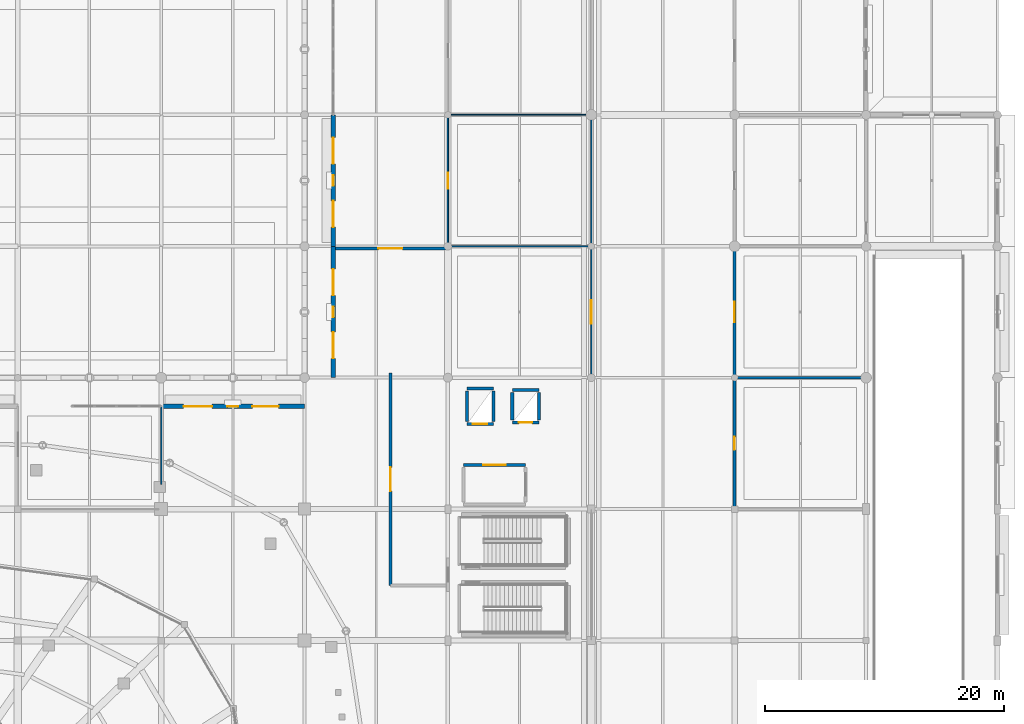
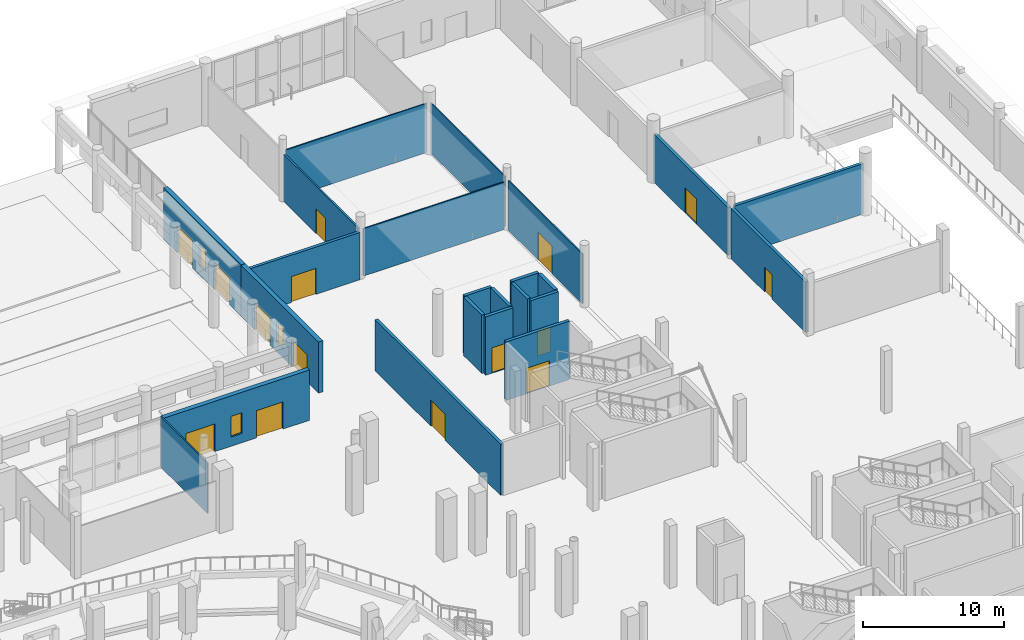
# One storey, part 67 of 120: 23 walls, 15 doors, 3 windows, 18 openings.
"""IFC4 building model written with IfcOpenShell, lengths in metres."""

from ifc_helpers import new_model, si_unit, direction, frame, frame_2d, origin, place, context, subcontext, project, spatial, rectangle, extrude, material, layer, layer_set, type_object, element, fill, save


model = new_model("IFC4")

# Units and contexts
model_context = context("Model", 3, precision=1e-05, world=origin(), true_north=direction((0.0, 1.0)))
body_context = subcontext(model_context, "Body", "Model", "MODEL_VIEW")
ifc_project = project(units=[si_unit("LENGTHUNIT", "METRE"), si_unit("AREAUNIT", "SQUARE_METRE"), si_unit("VOLUMEUNIT", "CUBIC_METRE"), si_unit("PLANEANGLEUNIT", "RADIAN"), si_unit("MASSUNIT", "GRAM", prefix="KILO")], contexts=[model_context])

# Site, building, storey
site_placement = place(None, origin())
site = spatial("IfcSite", under=ifc_project, at=site_placement, CompositionType="ELEMENT")
building_placement = place(site_placement, origin())
building = spatial("IfcBuilding", under=site, at=building_placement, Name="Luwafu Chhajja Arena", CompositionType="ELEMENT")
storey_placement = place(building_placement, origin())
storey = spatial("IfcBuildingStorey", under=building, at=storey_placement, Name="L00", CompositionType="ELEMENT", Elevation=0.0)

# Wall, opening, door
ifc_material_1 = material(Name="Concrete blockwork masonry", Category="masonry")
ifc_layer_1 = layer(ifc_material_1, 0.239990234375, Name="Concrete blockwork masonry")
ifc_layer_set_1 = layer_set([ifc_layer_1], Name="Concrete blockwork masonry")
wall_type_1 = type_object("IfcWallType", Name="Compartment Masonry Partition 240", PredefinedType="PARTITIONING", material=ifc_layer_set_1)
wall_1_placement = place(storey_placement, frame((176.0, 88.219970703125, 0.0), z_axis=(0.0, 0.0, 1.0), x_axis=(0.0, 1.0, 0.0)))
wall_1 = element("IfcWall", 1, at=wall_1_placement, inside=storey, type_object=wall_type_1, Name="L00 Internal Partition 0183", PredefinedType="PARTITIONING", context=body_context, shape_type="SweptSolid", body=[
    extrude(rectangle(XDim=10.56005859375, YDim=0.239990234375, at=frame_2d((5.280029296875, 0.0))), origin(), (0.0, 0.0, 1.0), 4.366455078125),
])
opening_1_placement = place(wall_1_placement, frame((4.739990234375, 0.0, 0.0)))
opening_1 = element("IfcOpeningElement", 2, at=opening_1_placement, cuts=wall_1, Name="Opening DR-10", PredefinedType="OPENING", context=body_context, shape_type="SweptSolid", body=[
    extrude(rectangle(XDim=1.080078125, YDim=2.14990234375, at=frame_2d((0.5400390625, 1.074951171875))), frame((0.0, 0.1298828125, 0.0), z_axis=(0.0, -1.0, 0.0), x_axis=(1.0, 0.0, 0.0)), (0.0, 0.0, 1.0), 0.260009765625),
])
ifc_material_2 = material(Name="Fire-rated hardwood leaf", Category="wood")
door_type_1 = type_object("IfcDoorType", Name="DR-10", OperationType="NOTDEFINED", PredefinedType="DOOR", material=ifc_material_2)
door_1_placement = place(opening_1_placement, origin())
door_1 = element("IfcDoor", 3, at=door_1_placement, inside=storey, type_object=door_type_1, Name="L00 Interior Door L00-D054", OperationType="SINGLE_SWING_RIGHT", OverallHeight=2.14990234375, OverallWidth=1.080078125, PredefinedType="DOOR", context=body_context, shape_type="SweptSolid", body=[
    extrude(rectangle(XDim=1.080078125, YDim=2.14990234375, at=frame_2d((0.5400390625, 1.074951171875))), frame((0.0, 0.02490234375, 0.0), z_axis=(0.0, -1.0, 0.0), x_axis=(1.0, 0.0, 0.0)), (0.0, 0.0, 1.0), 0.050048828125),
])
fill(opening_1, door_1)

wall_2_placement = place(storey_placement, frame((176.0, 99.219970703125, 0.0), z_axis=(0.0, 0.0, 1.0), x_axis=(0.0, 1.0, 0.0)))
wall_2 = element("IfcWall", 4, at=wall_2_placement, inside=storey, type_object=wall_type_1, Name="L00 Internal Partition 0184", PredefinedType="PARTITIONING", context=body_context, shape_type="SweptSolid", body=[
    extrude(rectangle(XDim=10.56005859375, YDim=0.239990234375, at=frame_2d((5.280029296875, 0.0))), origin(), (0.0, 0.0, 1.0), 4.14990234375),
])
opening_2_placement = place(wall_2_placement, frame((4.43994140625, 0.0, 0.0)))
opening_2 = element("IfcOpeningElement", 5, at=opening_2_placement, cuts=wall_2, Name="Opening DR-11", PredefinedType="OPENING", context=body_context, shape_type="SweptSolid", body=[
    extrude(rectangle(XDim=1.679931640625, YDim=2.199951171875, at=frame_2d((0.83984375, 1.10009765625))), frame((0.0, 0.1298828125, 0.0), z_axis=(0.0, -1.0, 0.0), x_axis=(1.0, 0.0, 0.0)), (0.0, 0.0, 1.0), 0.260009765625),
])
ifc_material_3 = material(Name="Powder-coated steel fire leaf", Category="steel")
door_type_2 = type_object("IfcDoorType", Name="DR-11", OperationType="DOUBLE_DOOR_SINGLE_SWING", PredefinedType="DOOR", material=ifc_material_3)
door_2_placement = place(opening_2_placement, origin())
door_2 = element("IfcDoor", 6, at=door_2_placement, inside=storey, type_object=door_type_2, Name="L00 Interior Door L00-D055", OperationType="DOUBLE_DOOR_SINGLE_SWING", OverallHeight=2.199951171875, OverallWidth=1.679931640625, PredefinedType="DOOR", context=body_context, shape_type="SweptSolid", body=[
    extrude(rectangle(XDim=1.679931640625, YDim=2.199951171875, at=frame_2d((0.83984375, 1.10009765625))), frame((0.0, 0.02490234375, 0.0), z_axis=(0.0, -1.0, 0.0), x_axis=(1.0, 0.0, 0.0)), (0.0, 0.0, 1.0), 0.050048828125),
])
fill(opening_2, door_2)

# Wall
wall_3_placement = place(storey_placement, frame((176.219970703125, 99.0, 0.0), z_axis=(0.0, 0.0, 1.0), x_axis=(1.0, 0.0, 0.0)))
element("IfcWall", 7, at=wall_3_placement, inside=storey, type_object=wall_type_1, Name="L00 Internal Partition 0211", PredefinedType="PARTITIONING", context=body_context, shape_type="SweptSolid", body=[
    extrude(rectangle(XDim=10.56005859375, YDim=0.239990234375, at=frame_2d((5.280029296875, 0.0))), origin(), (0.0, 0.0, 1.0), 4.366455078125),
])

# Wall, opening, door
wall_4_placement = place(storey_placement, frame((147.199951171875, 81.60009765625, 0.0), z_axis=(0.0, 0.0, 1.0), x_axis=(0.0, 1.0, 0.0)))
wall_4 = element("IfcWall", 8, at=wall_4_placement, inside=storey, type_object=wall_type_1, Name="L00 Protected Exit Passageway EI 120 Wall WXP-C4-W", PredefinedType="PARTITIONING", context=body_context, shape_type="SweptSolid", body=[
    extrude(rectangle(XDim=17.7998046875, YDim=0.239990234375, at=frame_2d((8.89990234375, 0.0))), origin(), (0.0, 0.0, 1.0), 4.4296875),
])
opening_3_placement = place(wall_4_placement, frame((7.89990234375, 0.0, 0.0)))
opening_3 = element("IfcOpeningElement", 9, at=opening_3_placement, cuts=wall_4, Name="Opening DR-08", PredefinedType="OPENING", context=body_context, shape_type="SweptSolid", body=[
    extrude(rectangle(XDim=2.0, YDim=2.25, at=frame_2d((1.0, 1.125))), frame((0.0, 0.1298828125, 0.0), z_axis=(0.0, -1.0, 0.0), x_axis=(1.0, 0.0, 0.0)), (0.0, 0.0, 1.0), 0.260009765625),
])
ifc_material_4 = material(Name="Fire-rated hardwood double leaf", Category="wood")
door_type_3 = type_object("IfcDoorType", Name="DR-08", OperationType="DOUBLE_DOOR_SINGLE_SWING", PredefinedType="DOOR", material=ifc_material_4)
door_3_placement = place(opening_3_placement, origin())
door_3 = element("IfcDoor", 10, at=door_3_placement, inside=storey, type_object=door_type_3, Name="L00 Protected Exit Passageway Fire Door L00-D070", OperationType="DOUBLE_DOOR_SINGLE_SWING", OverallHeight=2.25, OverallWidth=2.0, PredefinedType="DOOR", context=body_context, shape_type="SweptSolid", body=[
    extrude(rectangle(XDim=2.0, YDim=2.25, at=frame_2d((1.0, 1.125))), frame((0.0, 0.02490234375, 0.0), z_axis=(0.0, -1.0, 0.0), x_axis=(1.0, 0.0, 0.0)), (0.0, 0.0, 1.0), 0.050048828125),
])
fill(opening_3, door_3)

wall_5_placement = place(storey_placement, frame((142.60009765625, 109.800048828125, 0.0), z_axis=(0.0, 0.0, 1.0), x_axis=(1.0, 0.0, 0.0)))
wall_5 = element("IfcWall", 11, at=wall_5_placement, inside=storey, type_object=wall_type_1, Name="L00 Protected Exit Passageway EI 120 Wall WXP-C4-N", PredefinedType="PARTITIONING", context=body_context, shape_type="SweptSolid", body=[
    extrude(rectangle(XDim=9.179931640625, YDim=0.239990234375, at=frame_2d((4.58984375, 0.0))), origin(), (0.0, 0.0, 1.0), 4.10009765625),
])
opening_4_placement = place(wall_5_placement, frame((3.590087890625, 0.0, 0.0)))
opening_4 = element("IfcOpeningElement", 12, at=opening_4_placement, cuts=wall_5, Name="Opening DR-08", PredefinedType="OPENING", context=body_context, shape_type="SweptSolid", body=[
    extrude(rectangle(XDim=2.0, YDim=2.25, at=frame_2d((1.0, 1.125))), frame((0.0, 0.1298828125, 0.0), z_axis=(0.0, -1.0, 0.0), x_axis=(1.0, 0.0, 0.0)), (0.0, 0.0, 1.0), 0.260009765625),
])
door_4_placement = place(opening_4_placement, origin())
door_4 = element("IfcDoor", 13, at=door_4_placement, inside=storey, type_object=door_type_3, Name="L00 Protected Exit Passageway Fire Door L00-D071", OperationType="DOUBLE_DOOR_SINGLE_SWING", OverallHeight=2.25, OverallWidth=2.0, PredefinedType="DOOR", context=body_context, shape_type="SweptSolid", body=[
    extrude(rectangle(XDim=2.0, YDim=2.25, at=frame_2d((1.0, 1.125))), frame((0.0, 0.02490234375, 0.0), z_axis=(0.0, -1.0, 0.0), x_axis=(1.0, 0.0, 0.0)), (0.0, 0.0, 1.0), 0.050048828125),
])
fill(opening_4, door_4)

ifc_material_5 = material(Name="Lightweight blockwork partition", Category="masonry")
ifc_layer_2 = layer(ifc_material_5, 0.139892578125, Name="Lightweight blockwork partition")
ifc_layer_set_2 = layer_set([ifc_layer_2], Name="Lightweight blockwork partition")
wall_type_2 = type_object("IfcWallType", Name="Concourse Kiosk Partition 140", PredefinedType="PARTITIONING", material=ifc_layer_set_2)
wall_6_placement = place(storey_placement, frame((152.0, 110.219970703125, 0.0), z_axis=(0.0, 0.0, 1.0), x_axis=(0.0, 1.0, 0.0)))
wall_6 = element("IfcWall", 14, at=wall_6_placement, inside=storey, type_object=wall_type_2, Name="L00 Internal Partition 0174", PredefinedType="PARTITIONING", context=body_context, shape_type="SweptSolid", body=[
    extrude(rectangle(XDim=10.56005859375, YDim=0.139892578125, at=frame_2d((5.280029296875, 0.0))), origin(), (0.0, 0.0, 1.0), 4.10009765625),
])
opening_5_placement = place(wall_6_placement, frame((4.610107421875, 0.0, 0.0)))
opening_5 = element("IfcOpeningElement", 15, at=opening_5_placement, cuts=wall_6, Name="Opening DR-26", PredefinedType="OPENING", context=body_context, shape_type="SweptSolid", body=[
    extrude(rectangle(XDim=1.340087890625, YDim=2.14990234375, at=frame_2d((0.669921875, 1.074951171875))), frame((0.0, 0.079833984375, 0.0), z_axis=(0.0, -1.0, 0.0), x_axis=(1.0, 0.0, 0.0)), (0.0, 0.0, 1.0), 0.159912109375),
])
ifc_material_6 = material(Name="Hardwood service leaf", Category="wood")
door_type_4 = type_object("IfcDoorType", Name="DR-26", OperationType="NOTDEFINED", PredefinedType="DOOR", material=ifc_material_6)
door_5_placement = place(opening_5_placement, origin())
door_5 = element("IfcDoor", 16, at=door_5_placement, inside=storey, type_object=door_type_4, Name="L00 Interior Door L00-D049", OperationType="SINGLE_SWING_LEFT", OverallHeight=2.14990234375, OverallWidth=1.340087890625, PredefinedType="DOOR", context=body_context, shape_type="SweptSolid", body=[
    extrude(rectangle(XDim=1.340087890625, YDim=2.14990234375, at=frame_2d((0.669921875, 1.074951171875))), frame((0.0, 0.02490234375, 0.0), z_axis=(0.0, -1.0, 0.0), x_axis=(1.0, 0.0, 0.0)), (0.0, 0.0, 1.0), 0.050048828125),
])
fill(opening_5, door_5)

# Wall
ifc_material_7 = material(Name="Gypsum plasterboard partition")
ifc_layer_3 = layer(ifc_material_7, 0.10009765625, Name="Gypsum plasterboard partition")
ifc_layer_set_3 = layer_set([ifc_layer_3], Name="Gypsum plasterboard partition")
wall_type_3 = type_object("IfcWallType", Name="Drywall Lining Partition 100", PredefinedType="PARTITIONING", material=ifc_layer_set_3)
wall_7_placement = place(storey_placement, frame((128.0, 90.0654296875, 0.0), z_axis=(0.0, 0.0, 1.0), x_axis=(0.0, 1.0, 0.0)))
element("IfcWall", 17, at=wall_7_placement, inside=storey, type_object=wall_type_3, Name="L00 Internal Partition 0171", PredefinedType="PARTITIONING", context=body_context, shape_type="SweptSolid", body=[
    extrude(rectangle(XDim=6.53466796875, YDim=0.10009765625, at=frame_2d((3.267333984375, 0.0))), origin(), (0.0, 0.0, 1.0), 4.366455078125),
])

# Wall, opening, door
wall_8_placement = place(storey_placement, frame((164.0, 99.219970703125, 0.0), z_axis=(0.0, 0.0, 1.0), x_axis=(0.0, 1.0, 0.0)))
wall_8 = element("IfcWall", 18, at=wall_8_placement, inside=storey, type_object=wall_type_3, Name="L00 Internal Partition 0178", PredefinedType="PARTITIONING", context=body_context, shape_type="SweptSolid", body=[
    extrude(rectangle(XDim=10.56005859375, YDim=0.10009765625, at=frame_2d((5.280029296875, 0.0))), origin(), (0.0, 0.0, 1.0), 4.300048828125),
])
opening_6_placement = place(wall_8_placement, frame((4.304931640625, 0.0, 0.0)))
opening_6 = element("IfcOpeningElement", 19, at=opening_6_placement, cuts=wall_8, Name="Opening DR-25", PredefinedType="OPENING", context=body_context, shape_type="SweptSolid", body=[
    extrude(rectangle(XDim=1.949951171875, YDim=2.39990234375, at=frame_2d((0.97509765625, 1.199951171875))), frame((0.0, 0.06005859375, 0.0), z_axis=(0.0, -1.0, 0.0), x_axis=(1.0, 0.0, 0.0)), (0.0, 0.0, 1.0), 0.1201171875),
])
ifc_material_8 = material(Name="Anodised bronze glazed double door")
door_type_5 = type_object("IfcDoorType", Name="DR-25", OperationType="DOUBLE_DOOR_SINGLE_SWING", PredefinedType="DOOR", material=ifc_material_8)
door_6_placement = place(opening_6_placement, origin())
door_6 = element("IfcDoor", 20, at=door_6_placement, inside=storey, type_object=door_type_5, Name="L00 Interior Door L00-D051", OperationType="DOUBLE_DOOR_SINGLE_SWING", OverallHeight=2.39990234375, OverallWidth=1.949951171875, PredefinedType="DOOR", context=body_context, shape_type="SweptSolid", body=[
    extrude(rectangle(XDim=1.949951171875, YDim=2.39990234375, at=frame_2d((0.97509765625, 1.199951171875))), frame((0.0, 0.02490234375, 0.0), z_axis=(0.0, -1.0, 0.0), x_axis=(1.0, 0.0, 0.0)), (0.0, 0.0, 1.0), 0.050048828125),
])
fill(opening_6, door_6)

# Walls
wall_9_placement = place(storey_placement, frame((164.0, 110.219970703125, 0.0), z_axis=(0.0, 0.0, 1.0), x_axis=(0.0, 1.0, 0.0)))
element("IfcWall", 21, at=wall_9_placement, inside=storey, type_object=wall_type_3, Name="L00 Internal Partition 0179", PredefinedType="PARTITIONING", context=body_context, shape_type="SweptSolid", body=[
    extrude(rectangle(XDim=10.56005859375, YDim=0.10009765625, at=frame_2d((5.280029296875, 0.0))), origin(), (0.0, 0.0, 1.0), 4.35009765625),
])
wall_10_placement = place(storey_placement, frame((152.219970703125, 110.0, 0.0), z_axis=(0.0, 0.0, 1.0), x_axis=(1.0, 0.0, 0.0)))
element("IfcWall", 22, at=wall_10_placement, inside=storey, type_object=wall_type_3, Name="L00 Internal Partition 0206", PredefinedType="PARTITIONING", context=body_context, shape_type="SweptSolid", body=[
    extrude(rectangle(XDim=11.56005859375, YDim=0.10009765625, at=frame_2d((5.780029296875, 0.0))), origin(), (0.0, 0.0, 1.0), 4.10009765625),
])
wall_11_placement = place(storey_placement, frame((152.219970703125, 121.0, 0.0), z_axis=(0.0, 0.0, 1.0), x_axis=(1.0, 0.0, 0.0)))
element("IfcWall", 23, at=wall_11_placement, inside=storey, type_object=wall_type_3, Name="L00 Internal Partition 0207", PredefinedType="PARTITIONING", context=body_context, shape_type="SweptSolid", body=[
    extrude(rectangle(XDim=11.56005859375, YDim=0.10009765625, at=frame_2d((5.780029296875, 0.0))), origin(), (0.0, 0.0, 1.0), 4.25),
])

# Wall, opening, door
ifc_material_9 = material(Name="Concrete C40/50", Category="concrete")
ifc_layer_4 = layer(ifc_material_9, 0.260009765625, Name="Concrete C40/50")
ifc_layer_set_4 = layer_set([ifc_layer_4], Name="Concrete C40/50")
wall_type_4 = type_object("IfcWallType", Name="Firefighting Lobby Wall 260", PredefinedType="SOLIDWALL", material=ifc_layer_set_4)
wall_12_placement = place(storey_placement, frame((153.300048828125, 91.699951171875, 0.0), z_axis=(0.0, 0.0, 1.0), x_axis=(1.0, 0.0, 0.0)))
wall_12 = element("IfcWall", 24, at=wall_12_placement, inside=storey, type_object=wall_type_4, Name="L00 Core C4 Firefighting Lobby Wall N", PredefinedType="SOLIDWALL", context=body_context, shape_type="SweptSolid", body=[
    extrude(rectangle(XDim=5.199951171875, YDim=0.260009765625, at=frame_2d((2.60009765625, 0.0))), origin(), (0.0, 0.0, 1.0), 5.06005859375),
])
opening_7_placement = place(wall_12_placement, frame((1.64990234375, 0.0, 0.0)))
opening_7 = element("IfcOpeningElement", 25, at=opening_7_placement, cuts=wall_12, Name="Opening DR-07", PredefinedType="OPENING", context=body_context, shape_type="SweptSolid", body=[
    extrude(rectangle(XDim=1.89990234375, YDim=2.199951171875, at=frame_2d((0.949951171875, 1.10009765625))), frame((0.0, 0.139892578125, 0.0), z_axis=(0.0, -1.0, 0.0), x_axis=(1.0, 0.0, 0.0)), (0.0, 0.0, 1.0), 0.280029296875),
])
ifc_material_10 = material(Name="Fire-rated hardwood and vision panel", Category="wood")
door_type_6 = type_object("IfcDoorType", Name="DR-07", OperationType="DOUBLE_DOOR_SINGLE_SWING", PredefinedType="DOOR", material=ifc_material_10)
door_7_placement = place(opening_7_placement, origin())
door_7 = element("IfcDoor", 26, at=door_7_placement, inside=storey, type_object=door_type_6, Name="L00 Firefighting Lobby C4 Door L00-D015", OperationType="DOUBLE_DOOR_SINGLE_SWING", OverallHeight=2.199951171875, OverallWidth=1.89990234375, PredefinedType="DOOR", context=body_context, shape_type="SweptSolid", body=[
    extrude(rectangle(XDim=1.89990234375, YDim=2.199951171875, at=frame_2d((0.949951171875, 1.10009765625))), frame((0.0, 0.02490234375, 0.0), z_axis=(0.0, -1.0, 0.0), x_axis=(1.0, 0.0, 0.0)), (0.0, 0.0, 1.0), 0.050048828125),
])
fill(opening_7, door_7)

ifc_material_11 = material(Name="Concrete C35/45", Category="concrete")
ifc_layer_5 = layer(ifc_material_11, 0.260009765625, Name="Concrete C35/45")
ifc_layer_set_5 = layer_set([ifc_layer_5], Name="Concrete C35/45")
wall_type_5 = type_object("IfcWallType", Name="Lift and Riser Shaft Wall 260", PredefinedType="SOLIDWALL", material=ifc_layer_set_5)
wall_13_placement = place(storey_placement, frame((153.590087890625, 95.114990234375, 0.0), z_axis=(0.0, 0.0, 1.0), x_axis=(1.0, 0.0, 0.0)))
wall_13 = element("IfcWall", 27, at=wall_13_placement, inside=storey, type_object=wall_type_5, Name="L00 Lift LF-04 Shaft Wall S", PredefinedType="SOLIDWALL", context=body_context, shape_type="SweptSolid", body=[
    extrude(rectangle(XDim=2.219970703125, YDim=0.260009765625, at=frame_2d((1.10986328125, 0.0))), origin(), (0.0, 0.0, 1.0), 5.06005859375),
])
opening_8_placement = place(wall_13_placement, frame((0.510009765625, 0.0, 0.0)))
opening_8 = element("IfcOpeningElement", 28, at=opening_8_placement, cuts=wall_13, Name="Opening LD-02", PredefinedType="OPENING", context=body_context, shape_type="SweptSolid", body=[
    extrude(rectangle(XDim=1.199951171875, YDim=2.199951171875, at=frame_2d((0.60009765625, 1.10009765625))), frame((0.0, 0.139892578125, 0.0), z_axis=(0.0, -1.0, 0.0), x_axis=(1.0, 0.0, 0.0)), (0.0, 0.0, 1.0), 0.280029296875),
])
ifc_material_12 = material(Name="Brushed stainless steel sliding leaves", Category="steel")
door_type_7 = type_object("IfcDoorType", Name="LD-02", OperationType="SLIDING_TO_LEFT", PredefinedType="DOOR", material=ifc_material_12)
door_8_placement = place(opening_8_placement, origin())
door_8 = element("IfcDoor", 29, at=door_8_placement, inside=storey, type_object=door_type_7, Name="L00 Lift LF-04 Landing Door L00-LD07", OperationType="SLIDING_TO_LEFT", OverallHeight=2.199951171875, OverallWidth=1.199951171875, PredefinedType="DOOR", context=body_context, shape_type="SweptSolid", body=[
    extrude(rectangle(XDim=1.199951171875, YDim=2.199951171875, at=frame_2d((0.60009765625, 1.10009765625))), frame((0.0, 0.02490234375, 0.0), z_axis=(0.0, -1.0, 0.0), x_axis=(1.0, 0.0, 0.0)), (0.0, 0.0, 1.0), 0.050048828125),
])
fill(opening_8, door_8)

# Walls
wall_14_placement = place(storey_placement, frame((153.590087890625, 98.0849609375, 0.0), z_axis=(0.0, 0.0, 1.0), x_axis=(1.0, 0.0, 0.0)))
element("IfcWall", 30, at=wall_14_placement, inside=storey, type_object=wall_type_5, Name="L00 Lift LF-04 Shaft Wall N", PredefinedType="SOLIDWALL", context=body_context, shape_type="SweptSolid", body=[
    extrude(rectangle(XDim=2.219970703125, YDim=0.260009765625, at=frame_2d((1.10986328125, 0.0))), origin(), (0.0, 0.0, 1.0), 5.06005859375),
])
for number, where, z_axis, x_axis, name in (
    (31, (153.590087890625, 95.31494140625, 0.0), (0.0, 0.0, 1.0), (0.0, 1.0, 0.0), "L00 Lift LF-04 Shaft Wall W"),
    (32, (155.81005859375, 95.31494140625, 0.0), (0.0, 0.0, 1.0), (0.0, 1.0, 0.0), "L00 Lift LF-04 Shaft Wall E"),
):
    element("IfcWall", number, at=place(storey_placement, frame(where, z_axis=z_axis, x_axis=x_axis)), inside=storey, type_object=wall_type_5, Name=name, PredefinedType="SOLIDWALL", context=body_context, shape_type="SweptSolid", body=[
        extrude(rectangle(XDim=2.570068359375, YDim=0.260009765625, at=frame_2d((1.28515625, 0.0))), origin(), (0.0, 0.0, 1.0), 5.06005859375),
    ])

# Wall, opening, door
wall_15_placement = place(storey_placement, frame((157.389892578125, 95.239990234375, 0.0), z_axis=(0.0, 0.0, 1.0), x_axis=(1.0, 0.0, 0.0)))
wall_15 = element("IfcWall", 33, at=wall_15_placement, inside=storey, type_object=wall_type_5, Name="L00 Lift LF-08 Shaft Wall S", PredefinedType="SOLIDWALL", context=body_context, shape_type="SweptSolid", body=[
    extrude(rectangle(XDim=2.22021484375, YDim=0.260009765625, at=frame_2d((1.110107421875, 0.0))), origin(), (0.0, 0.0, 1.0), 5.06005859375),
])
opening_9_placement = place(wall_15_placement, frame((0.56005859375, 0.0, 0.0)))
opening_9 = element("IfcOpeningElement", 34, at=opening_9_placement, cuts=wall_15, Name="Opening LD-01", PredefinedType="OPENING", context=body_context, shape_type="SweptSolid", body=[
    extrude(rectangle(XDim=1.10009765625, YDim=2.14990234375, at=frame_2d((0.550048828125, 1.074951171875))), frame((0.0, 0.139892578125, 0.0), z_axis=(0.0, -1.0, 0.0), x_axis=(1.0, 0.0, 0.0)), (0.0, 0.0, 1.0), 0.280029296875),
])
door_type_8 = type_object("IfcDoorType", Name="LD-01", OperationType="SLIDING_TO_LEFT", PredefinedType="DOOR", material=ifc_material_12)
door_9_placement = place(opening_9_placement, origin())
door_9 = element("IfcDoor", 35, at=door_9_placement, inside=storey, type_object=door_type_8, Name="L00 Lift LF-08 Landing Door L00-LD08", OperationType="SLIDING_TO_LEFT", OverallHeight=2.14990234375, OverallWidth=1.10009765625, PredefinedType="DOOR", context=body_context, shape_type="SweptSolid", body=[
    extrude(rectangle(XDim=1.10009765625, YDim=2.14990234375, at=frame_2d((0.550048828125, 1.074951171875))), frame((0.0, 0.02490234375, 0.0), z_axis=(0.0, -1.0, 0.0), x_axis=(1.0, 0.0, 0.0)), (0.0, 0.0, 1.0), 0.050048828125),
])
fill(opening_9, door_9)

# Walls
wall_16_placement = place(storey_placement, frame((157.389892578125, 97.9599609375, 0.0), z_axis=(0.0, 0.0, 1.0), x_axis=(1.0, 0.0, 0.0)))
element("IfcWall", 36, at=wall_16_placement, inside=storey, type_object=wall_type_5, Name="L00 Lift LF-08 Shaft Wall N", PredefinedType="SOLIDWALL", context=body_context, shape_type="SweptSolid", body=[
    extrude(rectangle(XDim=2.22021484375, YDim=0.260009765625, at=frame_2d((1.110107421875, 0.0))), origin(), (0.0, 0.0, 1.0), 5.06005859375),
])
for number, where, z_axis, x_axis, name in (
    (37, (157.389892578125, 95.43994140625, 0.0), (0.0, 0.0, 1.0), (0.0, 1.0, 0.0), "L00 Lift LF-08 Shaft Wall W"),
    (38, (159.610107421875, 95.43994140625, 0.0), (0.0, 0.0, 1.0), (0.0, 1.0, 0.0), "L00 Lift LF-08 Shaft Wall E"),
):
    element("IfcWall", number, at=place(storey_placement, frame(where, z_axis=z_axis, x_axis=x_axis)), inside=storey, type_object=wall_type_5, Name=name, PredefinedType="SOLIDWALL", context=body_context, shape_type="SweptSolid", body=[
        extrude(rectangle(XDim=2.320068359375, YDim=0.260009765625, at=frame_2d((1.16015625, 0.0))), origin(), (0.0, 0.0, 1.0), 5.06005859375),
    ])

# Wall, openings, doors, window
ifc_layer_6 = layer(ifc_material_11, 0.360107421875, Name="Concrete C35/45")
ifc_layer_set_6 = layer_set([ifc_layer_6], Name="Concrete C35/45")
wall_type_6 = type_object("IfcWallType", Name="Sandstone Backed Exterior Wall 360", PredefinedType="SOLIDWALL", material=ifc_layer_set_6)
wall_17_placement = place(storey_placement, frame((128.0, 96.60009765625, 0.0), z_axis=(0.0, 0.0, 1.0), x_axis=(1.0, 0.0, 0.0)))
wall_17 = element("IfcWall", 39, at=wall_17_placement, inside=storey, type_object=wall_type_6, Name="L00 Exterior Wall WEX-L00-080", PredefinedType="SOLIDWALL", context=body_context, shape_type="SweptSolid", body=[
    extrude(rectangle(XDim=12.0, YDim=0.360107421875, at=frame_2d((6.0, 0.0))), origin(), (0.0, 0.0, 1.0), 4.366455078125),
])
opening_10_placement = place(wall_17_placement, frame((1.8701171875, 0.0, 0.0)))
opening_10 = element("IfcOpeningElement", 40, at=opening_10_placement, cuts=wall_17, Name="Opening GD-01", PredefinedType="OPENING", context=body_context, shape_type="SweptSolid", body=[
    extrude(rectangle(XDim=2.39990234375, YDim=2.39990234375, at=frame_2d((1.199951171875, 1.199951171875))), frame((0.0, 0.18994140625, 0.0), z_axis=(0.0, -1.0, 0.0), x_axis=(1.0, 0.0, 0.0)), (0.0, 0.0, 1.0), 0.380126953125),
])
opening_11_placement = place(wall_17_placement, frame((7.6298828125, 0.0, 0.0)))
opening_11 = element("IfcOpeningElement", 41, at=opening_11_placement, cuts=wall_17, Name="Opening DR-03", PredefinedType="OPENING", context=body_context, shape_type="SweptSolid", body=[
    extrude(rectangle(XDim=2.199951171875, YDim=2.35009765625, at=frame_2d((1.10009765625, 1.175048828125))), frame((0.0, 0.18994140625, 0.0), z_axis=(0.0, -1.0, 0.0), x_axis=(1.0, 0.0, 0.0)), (0.0, 0.0, 1.0), 0.380126953125),
])
opening_12_placement = place(wall_17_placement, frame((5.550048828125, 0.0, 0.800048828125)))
opening_12 = element("IfcOpeningElement", 42, at=opening_12_placement, cuts=wall_17, Name="Opening WN-16", PredefinedType="OPENING", context=body_context, shape_type="SweptSolid", body=[
    extrude(rectangle(XDim=0.89990234375, YDim=1.800048828125, at=frame_2d((0.449951171875, 0.89990234375))), frame((0.0, 0.18994140625, 0.0), z_axis=(0.0, -1.0, 0.0), x_axis=(1.0, 0.0, 0.0)), (0.0, 0.0, 1.0), 0.380126953125),
])
ifc_material_13 = material(Name="Anodised bronze aluminium and toughened glass", Category="aluminium")
door_type_9 = type_object("IfcDoorType", Name="GD-01", OperationType="DOUBLE_DOOR_SINGLE_SWING", PredefinedType="DOOR", material=ifc_material_13)
door_10_placement = place(opening_10_placement, origin())
door_10 = element("IfcDoor", 43, at=door_10_placement, inside=storey, type_object=door_type_9, Name="Pedestrian exit gate GT-08", OperationType="DOUBLE_DOOR_SINGLE_SWING", OverallHeight=2.39990234375, OverallWidth=2.39990234375, PredefinedType="DOOR", context=body_context, shape_type="SweptSolid", body=[
    extrude(rectangle(XDim=2.39990234375, YDim=2.39990234375, at=frame_2d((1.199951171875, 1.199951171875))), frame((0.0, 0.02490234375, 0.0), z_axis=(0.0, -1.0, 0.0), x_axis=(1.0, 0.0, 0.0)), (0.0, 0.0, 1.0), 0.050048828125),
])
fill(opening_10, door_10)
ifc_material_14 = material(Name="Fire-rated bronze aluminium and glazed vision leaves", Category="aluminium")
door_type_10 = type_object("IfcDoorType", Name="DR-03", OperationType="DOUBLE_DOOR_SINGLE_SWING", PredefinedType="DOOR", material=ifc_material_14)
door_11_placement = place(opening_11_placement, origin())
door_11 = element("IfcDoor", 44, at=door_11_placement, inside=storey, type_object=door_type_10, Name="Main exit E-13", OperationType="DOUBLE_DOOR_SINGLE_SWING", OverallHeight=2.35009765625, OverallWidth=2.199951171875, PredefinedType="DOOR", context=body_context, shape_type="SweptSolid", body=[
    extrude(rectangle(XDim=2.199951171875, YDim=2.35009765625, at=frame_2d((1.10009765625, 1.175048828125))), frame((0.0, 0.02490234375, 0.0), z_axis=(0.0, -1.0, 0.0), x_axis=(1.0, 0.0, 0.0)), (0.0, 0.0, 1.0), 0.050048828125),
])
fill(opening_11, door_11)
ifc_material_15 = material(Name="Solar-control laminated glass", Category="glass")
window_type = type_object("IfcWindowType", Name="Stair Core Daylight Slot Window 900x1800", PartitioningType="SINGLE_PANEL", PredefinedType="WINDOW", material=ifc_material_15)
window_1_placement = place(opening_12_placement, origin())
window_1 = element("IfcWindow", 45, at=window_1_placement, inside=storey, type_object=window_type, Name="L00 Facade Window 277", OverallHeight=1.800048828125, OverallWidth=0.89990234375, PartitioningType="SINGLE_PANEL", PredefinedType="WINDOW", context=body_context, shape_type="SweptSolid", body=[
    extrude(rectangle(XDim=0.89990234375, YDim=1.800048828125, at=frame_2d((0.449951171875, 0.89990234375))), frame((0.0, 0.030029296875, 0.0), z_axis=(0.0, -1.0, 0.0), x_axis=(1.0, 0.0, 0.0)), (0.0, 0.0, 1.0), 0.06005859375),
])
fill(opening_12, window_1)

wall_18_placement = place(storey_placement, frame((142.39990234375, 99.0, 0.0), z_axis=(0.0, 0.0, 1.0), x_axis=(0.0, 1.0, 0.0)))
wall_18 = element("IfcWall", 46, at=wall_18_placement, inside=storey, type_object=wall_type_6, Name="L00 Exterior Wall WEX-L00-083", PredefinedType="SOLIDWALL", context=body_context, shape_type="SweptSolid", body=[
    extrude(rectangle(XDim=11.0, YDim=0.360107421875, at=frame_2d((5.5, 0.0))), origin(), (0.0, 0.0, 1.0), 4.4296875),
])
opening_13_placement = place(wall_18_placement, frame((1.610107421875, 0.0, 0.0)))
opening_13 = element("IfcOpeningElement", 47, at=opening_13_placement, cuts=wall_18, Name="Opening DR-03", PredefinedType="OPENING", context=body_context, shape_type="SweptSolid", body=[
    extrude(rectangle(XDim=2.199951171875, YDim=2.35009765625, at=frame_2d((1.10009765625, 1.175048828125))), frame((0.0, 0.18994140625, 0.0), z_axis=(0.0, -1.0, 0.0), x_axis=(1.0, 0.0, 0.0)), (0.0, 0.0, 1.0), 0.380126953125),
])
opening_14_placement = place(wall_18_placement, frame((6.889892578125, 0.0, 0.0)))
opening_14 = element("IfcOpeningElement", 48, at=opening_14_placement, cuts=wall_18, Name="Opening DR-03", PredefinedType="OPENING", context=body_context, shape_type="SweptSolid", body=[
    extrude(rectangle(XDim=2.199951171875, YDim=2.35009765625, at=frame_2d((1.10009765625, 1.175048828125))), frame((0.0, 0.18994140625, 0.0), z_axis=(0.0, -1.0, 0.0), x_axis=(1.0, 0.0, 0.0)), (0.0, 0.0, 1.0), 0.380126953125),
])
opening_15_placement = place(wall_18_placement, frame((5.050048828125, 0.0, 0.800048828125)))
opening_15 = element("IfcOpeningElement", 49, at=opening_15_placement, cuts=wall_18, Name="Opening WN-16", PredefinedType="OPENING", context=body_context, shape_type="SweptSolid", body=[
    extrude(rectangle(XDim=0.89990234375, YDim=1.800048828125, at=frame_2d((0.449951171875, 0.89990234375))), frame((0.0, 0.18994140625, 0.0), z_axis=(0.0, -1.0, 0.0), x_axis=(1.0, 0.0, 0.0)), (0.0, 0.0, 1.0), 0.380126953125),
])
door_12_placement = place(opening_13_placement, origin())
door_12 = element("IfcDoor", 50, at=door_12_placement, inside=storey, type_object=door_type_10, Name="Main exit E-16", OperationType="DOUBLE_DOOR_SINGLE_SWING", OverallHeight=2.35009765625, OverallWidth=2.199951171875, PredefinedType="DOOR", context=body_context, shape_type="SweptSolid", body=[
    extrude(rectangle(XDim=2.199951171875, YDim=2.35009765625, at=frame_2d((1.10009765625, 1.175048828125))), frame((0.0, 0.02490234375, 0.0), z_axis=(0.0, -1.0, 0.0), x_axis=(1.0, 0.0, 0.0)), (0.0, 0.0, 1.0), 0.050048828125),
])
fill(opening_13, door_12)
door_13_placement = place(opening_14_placement, origin())
door_13 = element("IfcDoor", 51, at=door_13_placement, inside=storey, type_object=door_type_10, Name="Main exit E-17", OperationType="DOUBLE_DOOR_SINGLE_SWING", OverallHeight=2.35009765625, OverallWidth=2.199951171875, PredefinedType="DOOR", context=body_context, shape_type="SweptSolid", body=[
    extrude(rectangle(XDim=2.199951171875, YDim=2.35009765625, at=frame_2d((1.10009765625, 1.175048828125))), frame((0.0, 0.02490234375, 0.0), z_axis=(0.0, -1.0, 0.0), x_axis=(1.0, 0.0, 0.0)), (0.0, 0.0, 1.0), 0.050048828125),
])
fill(opening_14, door_13)
window_2_placement = place(opening_15_placement, origin())
window_2 = element("IfcWindow", 52, at=window_2_placement, inside=storey, type_object=window_type, Name="L00 Facade Window 279", OverallHeight=1.800048828125, OverallWidth=0.89990234375, PartitioningType="SINGLE_PANEL", PredefinedType="WINDOW", context=body_context, shape_type="SweptSolid", body=[
    extrude(rectangle(XDim=0.89990234375, YDim=1.800048828125, at=frame_2d((0.449951171875, 0.89990234375))), frame((0.0, 0.030029296875, 0.0), z_axis=(0.0, -1.0, 0.0), x_axis=(1.0, 0.0, 0.0)), (0.0, 0.0, 1.0), 0.06005859375),
])
fill(opening_15, window_2)

wall_19_placement = place(storey_placement, frame((142.39990234375, 110.0, 0.0), z_axis=(0.0, 0.0, 1.0), x_axis=(0.0, 1.0, 0.0)))
wall_19 = element("IfcWall", 53, at=wall_19_placement, inside=storey, type_object=wall_type_6, Name="L00 Exterior Wall WEX-L00-084", PredefinedType="SOLIDWALL", context=body_context, shape_type="SweptSolid", body=[
    extrude(rectangle(XDim=11.0, YDim=0.360107421875, at=frame_2d((5.5, 0.0))), origin(), (0.0, 0.0, 1.0), 4.449951171875),
])
opening_16_placement = place(wall_19_placement, frame((1.610107421875, 0.0, 0.0)))
opening_16 = element("IfcOpeningElement", 54, at=opening_16_placement, cuts=wall_19, Name="Opening DR-03", PredefinedType="OPENING", context=body_context, shape_type="SweptSolid", body=[
    extrude(rectangle(XDim=2.199951171875, YDim=2.35009765625, at=frame_2d((1.10009765625, 1.175048828125))), frame((0.0, 0.18994140625, 0.0), z_axis=(0.0, -1.0, 0.0), x_axis=(1.0, 0.0, 0.0)), (0.0, 0.0, 1.0), 0.380126953125),
])
opening_17_placement = place(wall_19_placement, frame((6.889892578125, 0.0, 0.0)))
opening_17 = element("IfcOpeningElement", 55, at=opening_17_placement, cuts=wall_19, Name="Opening DR-03", PredefinedType="OPENING", context=body_context, shape_type="SweptSolid", body=[
    extrude(rectangle(XDim=2.199951171875, YDim=2.35009765625, at=frame_2d((1.10009765625, 1.175048828125))), frame((0.0, 0.18994140625, 0.0), z_axis=(0.0, -1.0, 0.0), x_axis=(1.0, 0.0, 0.0)), (0.0, 0.0, 1.0), 0.380126953125),
])
opening_18_placement = place(wall_19_placement, frame((5.050048828125, 0.0, 0.800048828125)))
opening_18 = element("IfcOpeningElement", 56, at=opening_18_placement, cuts=wall_19, Name="Opening WN-16", PredefinedType="OPENING", context=body_context, shape_type="SweptSolid", body=[
    extrude(rectangle(XDim=0.89990234375, YDim=1.800048828125, at=frame_2d((0.449951171875, 0.89990234375))), frame((0.0, 0.18994140625, 0.0), z_axis=(0.0, -1.0, 0.0), x_axis=(1.0, 0.0, 0.0)), (0.0, 0.0, 1.0), 0.380126953125),
])
door_14_placement = place(opening_16_placement, origin())
door_14 = element("IfcDoor", 57, at=door_14_placement, inside=storey, type_object=door_type_10, Name="Main exit E-18", OperationType="DOUBLE_DOOR_SINGLE_SWING", OverallHeight=2.35009765625, OverallWidth=2.199951171875, PredefinedType="DOOR", context=body_context, shape_type="SweptSolid", body=[
    extrude(rectangle(XDim=2.199951171875, YDim=2.35009765625, at=frame_2d((1.10009765625, 1.175048828125))), frame((0.0, 0.02490234375, 0.0), z_axis=(0.0, -1.0, 0.0), x_axis=(1.0, 0.0, 0.0)), (0.0, 0.0, 1.0), 0.050048828125),
])
fill(opening_16, door_14)
door_15_placement = place(opening_17_placement, origin())
door_15 = element("IfcDoor", 58, at=door_15_placement, inside=storey, type_object=door_type_10, Name="Main exit E-19", OperationType="DOUBLE_DOOR_SINGLE_SWING", OverallHeight=2.35009765625, OverallWidth=2.199951171875, PredefinedType="DOOR", context=body_context, shape_type="SweptSolid", body=[
    extrude(rectangle(XDim=2.199951171875, YDim=2.35009765625, at=frame_2d((1.10009765625, 1.175048828125))), frame((0.0, 0.02490234375, 0.0), z_axis=(0.0, -1.0, 0.0), x_axis=(1.0, 0.0, 0.0)), (0.0, 0.0, 1.0), 0.050048828125),
])
fill(opening_17, door_15)
window_3_placement = place(opening_18_placement, origin())
window_3 = element("IfcWindow", 59, at=window_3_placement, inside=storey, type_object=window_type, Name="L00 Facade Window 280", OverallHeight=1.800048828125, OverallWidth=0.89990234375, PartitioningType="SINGLE_PANEL", PredefinedType="WINDOW", context=body_context, shape_type="SweptSolid", body=[
    extrude(rectangle(XDim=0.89990234375, YDim=1.800048828125, at=frame_2d((0.449951171875, 0.89990234375))), frame((0.0, 0.030029296875, 0.0), z_axis=(0.0, -1.0, 0.0), x_axis=(1.0, 0.0, 0.0)), (0.0, 0.0, 1.0), 0.06005859375),
])
fill(opening_18, window_3)

save(model, "model.ifc")
